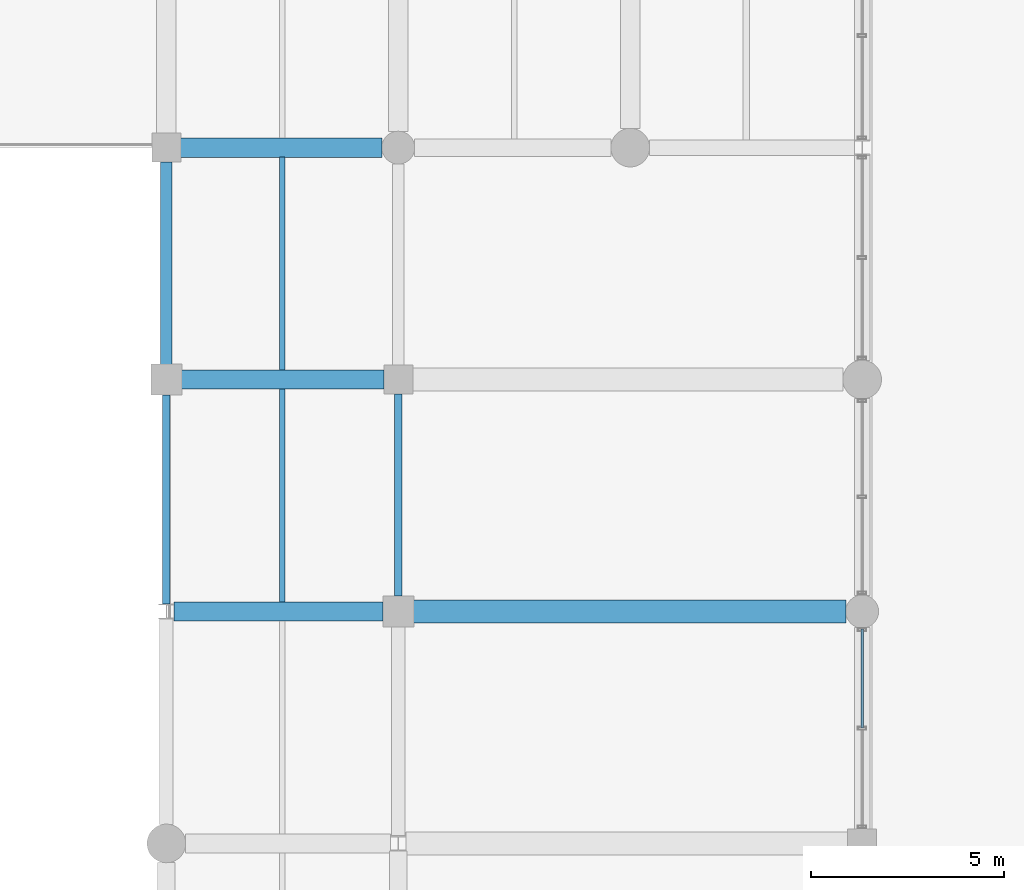
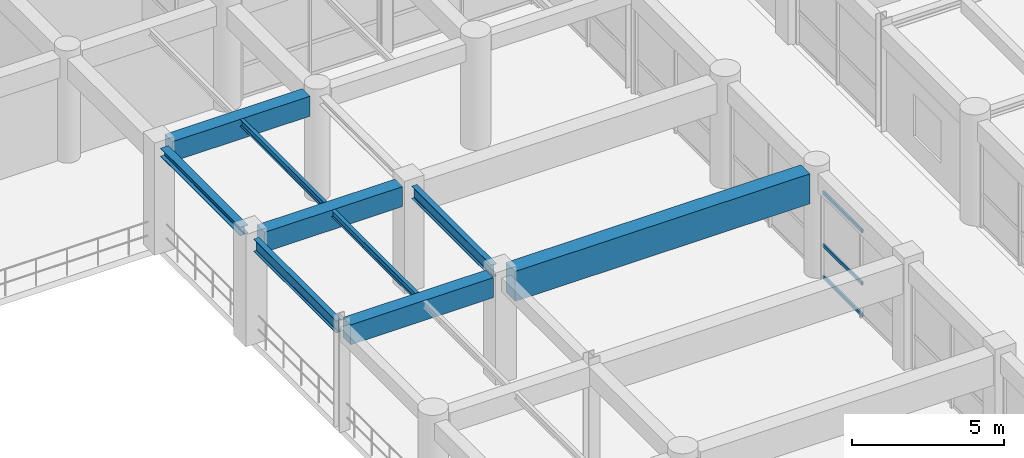
# One storey, part 68 of 133: 9 beams, 3 members, 1 element without a shape of its own.
"""IFC4 building model written with IfcOpenShell, lengths in metres."""

from ifc_helpers import new_model, si_unit, direction, frame, origin, origin_2d, place, context, subcontext, project, spatial, rectangle, hollow_rectangle, i_section, extrude, material, material_profile, profile_set, type_object, element, aggregate, save


model = new_model("IFC4")

# Units and contexts
model_context = context("Model", 3, precision=1e-05, world=origin(), true_north=direction((0.0, 1.0)))
body_context = subcontext(model_context, "Body", "Model", "MODEL_VIEW")
ifc_project = project(units=[si_unit("LENGTHUNIT", "METRE"), si_unit("AREAUNIT", "SQUARE_METRE"), si_unit("VOLUMEUNIT", "CUBIC_METRE"), si_unit("PLANEANGLEUNIT", "RADIAN"), si_unit("MASSUNIT", "GRAM", prefix="KILO"), si_unit("THERMODYNAMICTEMPERATUREUNIT", "KELVIN"), si_unit("POWERUNIT", "WATT")], contexts=[model_context])

# Site, building, storey
site_placement = place(None, origin())
site = spatial("IfcSite", under=ifc_project, at=site_placement, CompositionType="ELEMENT")
building_placement = place(site_placement, origin())
building = spatial("IfcBuilding", under=site, at=building_placement, Name="Phaisarnlok Congress Hotel", CompositionType="ELEMENT")
storey_placement = place(building_placement, frame((0.0, 0.0, 6.0)))
storey = spatial("IfcBuildingStorey", under=building, at=storey_placement, Name="L01", CompositionType="ELEMENT", Elevation=6.0)

# Beams
ifc_material_1 = material(Name="Concrete C40/50", Category="concrete")
ifc_material_profile_1 = material_profile(ifc_material_1, rectangle(XDim=0.5, YDim=0.800048828125, at=origin_2d()), Name="RC 500x800")
ifc_profile_set_1 = profile_set([ifc_material_profile_1], Name="Concrete C40/50")
beam_type_1 = type_object("IfcBeamType", Name="BM-RC-500x800", PredefinedType="BEAM", material=ifc_profile_set_1)
beam_1_placement = place(storey_placement, frame((138.195556640625, 66.0, 3.820068359375), z_axis=(1.0, 0.0, 0.0), x_axis=(0.0, 1.0, 0.0)))
element("IfcBeam", 1, at=beam_1_placement, inside=storey, type_object=beam_type_1, Name="Beam B-04", PredefinedType="BEAM", context=body_context, shape_type="SweptSolid", body=[
    extrude(rectangle(XDim=0.5, YDim=0.800048828125, at=origin_2d()), origin(), (0.0, 0.0, 1.0), 5.409423828125),
])
beam_2_placement = place(storey_placement, frame((138.39501953125, 72.0, 3.820068359375), z_axis=(1.0, 0.0, 0.0), x_axis=(0.0, 1.0, 0.0)))
element("IfcBeam", 2, at=beam_2_placement, inside=storey, type_object=beam_type_1, Name="Beam B-04", PredefinedType="BEAM", context=body_context, shape_type="SweptSolid", body=[
    extrude(rectangle(XDim=0.5, YDim=0.800048828125, at=origin_2d()), origin(), (0.0, 0.0, 1.0), 5.23486328125),
])
beam_3_placement = place(storey_placement, frame((138.3701171875, 78.0, 3.820068359375), z_axis=(1.0, 0.0, 0.0), x_axis=(0.0, 1.0, 0.0)))
element("IfcBeam", 3, at=beam_3_placement, inside=storey, type_object=beam_type_1, Name="Beam B-04", PredefinedType="BEAM", context=body_context, shape_type="SweptSolid", body=[
    extrude(rectangle(XDim=0.5, YDim=0.800048828125, at=origin_2d()), origin(), (0.0, 0.0, 1.0), 5.2099609375),
])
ifc_material_2 = material(Name="Concrete C50/60", Category="concrete")
ifc_material_profile_2 = material_profile(ifc_material_2, rectangle(XDim=0.60009765625, YDim=1.199951171875, at=origin_2d()), Name="RC 600x1200")
ifc_profile_set_2 = profile_set([ifc_material_profile_2], Name="Concrete C50/60")
beam_type_2 = type_object("IfcBeamType", Name="BM-RC-600x1200", PredefinedType="BEAM", material=ifc_profile_set_2)
beam_4_placement = place(storey_placement, frame((144.39501953125, 66.0, 3.6201171875), z_axis=(1.0, 0.0, 0.0), x_axis=(0.0, 1.0, 0.0)))
element("IfcBeam", 4, at=beam_4_placement, inside=storey, type_object=beam_type_2, Name="Ramp bay 12m girder B-06", PredefinedType="BEAM", context=body_context, shape_type="SweptSolid", body=[
    extrude(rectangle(XDim=0.60009765625, YDim=1.199951171875, at=origin_2d()), origin(), (0.0, 0.0, 1.0), 11.18505859375),
])
ifc_material_3 = material(Name="Steel S355", Category="steel")
ifc_material_profile_3 = material_profile(ifc_material_3, i_section(OverallWidth=0.300048828125, OverallDepth=0.340087890625, WebThickness=0.011962890625, FlangeThickness=0.021484375, FilletRadius=0.027099609375, at=origin_2d()), Name="HEB 340")
ifc_profile_set_3 = profile_set([ifc_material_profile_3], Name="Steel S355")
beam_type_3 = type_object("IfcBeamType", Name="BM-STL-HEB340", PredefinedType="BEAM", material=ifc_profile_set_3)
beam_5_placement = place(storey_placement, frame((138.0, 72.39501953125, 4.050048828125), z_axis=(0.0, 1.0, 0.0), x_axis=(-1.0, 0.0, 0.0)))
element("IfcBeam", 5, at=beam_5_placement, inside=storey, type_object=beam_type_3, Name="Beam SB-07", PredefinedType="BEAM", context=body_context, shape_type="SweptSolid", body=[
    extrude(i_section(OverallWidth=0.300048828125, OverallDepth=0.340087890625, WebThickness=0.011962890625, FlangeThickness=0.021484375, FilletRadius=0.027099609375, at=origin_2d()), origin(), (0.0, 0.0, 1.0), 5.23486328125),
])
ifc_material_profile_4 = material_profile(ifc_material_3, i_section(OverallWidth=0.199951171875, OverallDepth=0.5, WebThickness=0.01025390625, FlangeThickness=0.01611328125, FilletRadius=0.02099609375, at=origin_2d()), Name="IPE 500")
ifc_profile_set_4 = profile_set([ifc_material_profile_4], Name="Steel S355")
beam_type_4 = type_object("IfcBeamType", Name="BM-STL-IPE500", PredefinedType="BEAM", material=ifc_profile_set_4)
beam_6_placement = place(storey_placement, frame((138.0, 66.194580078125, 3.969970703125), z_axis=(0.0, 1.0, 0.0), x_axis=(-1.0, 0.0, 0.0)))
element("IfcBeam", 6, at=beam_6_placement, inside=storey, type_object=beam_type_4, Name="Beam SB-02", PredefinedType="BEAM", context=body_context, shape_type="SweptSolid", body=[
    extrude(i_section(OverallWidth=0.199951171875, OverallDepth=0.5, WebThickness=0.01025390625, FlangeThickness=0.01611328125, FilletRadius=0.02099609375, at=origin_2d()), origin(), (0.0, 0.0, 1.0), 5.410400390625),
])
beam_7_placement = place(storey_placement, frame((144.0, 66.39501953125, 3.969970703125), z_axis=(0.0, 1.0, 0.0), x_axis=(-1.0, 0.0, 0.0)))
element("IfcBeam", 7, at=beam_7_placement, inside=storey, type_object=beam_type_4, Name="Beam SB-02", PredefinedType="BEAM", context=body_context, shape_type="SweptSolid", body=[
    extrude(i_section(OverallWidth=0.199951171875, OverallDepth=0.5, WebThickness=0.01025390625, FlangeThickness=0.01611328125, FilletRadius=0.02099609375, at=origin_2d()), origin(), (0.0, 0.0, 1.0), 5.23486328125),
])

# Curtain wall, members
ifc_material_4 = material(Name="Thermally Broken Unitised Aluminium & Low-E Glazing", Category="aluminium")
curtain_wall_type = type_object("IfcCurtainWallType", Name="CW-UNIT-15", PredefinedType="NOTDEFINED", material=ifc_material_4)
curtain_wall_placement = place(storey_placement, origin())
curtain_wall = element("IfcCurtainWall", 8, at=curtain_wall_placement, inside=storey, type_object=curtain_wall_type, Name="Unitised curtain wall CW-15 (L01)", PredefinedType="NOTDEFINED")
ifc_material_5 = material(Name="Anodised Aluminium Alloy 6063-T6", Category="aluminium")
ifc_material_profile_5 = material_profile(ifc_material_5, hollow_rectangle(XDim=0.06494140625, YDim=0.139892578125, WallThickness=0.00390625, at=origin_2d()), Name="ALU-T 65x140x4")
ifc_profile_set_5 = profile_set([ifc_material_profile_5], Name="Anodised Aluminium Alloy 6063-T6")
member_type = type_object("IfcMemberType", Name="CWT-150", PredefinedType="USERDEFINED", material=ifc_profile_set_5)
member_1_placement = place(storey_placement, frame((156.0, 62.989990234375, 0.050048828125), z_axis=(0.0, 1.0, 0.0), x_axis=(-1.0, 0.0, 0.0)))
member_1 = element("IfcMember", 9, at=member_1_placement, type_object=member_type, Name="Curtain wall transom CWT-01", ObjectType="TRANSOM", PredefinedType="USERDEFINED", context=body_context, shape_type="SweptSolid", body=[
    extrude(hollow_rectangle(XDim=0.06494140625, YDim=0.139892578125, WallThickness=0.00390625, at=origin_2d()), origin(), (0.0, 0.0, 1.0), 2.56005859375),
])
member_2_placement = place(storey_placement, frame((156.0, 62.989990234375, 1.318603515625), z_axis=(0.0, 1.0, 0.0), x_axis=(-1.0, 0.0, 0.0)))
member_2 = element("IfcMember", 10, at=member_2_placement, type_object=member_type, Name="Curtain wall transom CWT-01", ObjectType="TRANSOM", PredefinedType="USERDEFINED", context=body_context, shape_type="SweptSolid", body=[
    extrude(hollow_rectangle(XDim=0.06494140625, YDim=0.139892578125, WallThickness=0.00390625, at=origin_2d()), origin(), (0.0, 0.0, 1.0), 2.56005859375),
])
member_3_placement = place(storey_placement, frame((156.0, 62.989990234375, 3.419921875), z_axis=(0.0, 1.0, 0.0), x_axis=(-1.0, 0.0, 0.0)))
member_3 = element("IfcMember", 11, at=member_3_placement, type_object=member_type, Name="Curtain wall transom CWT-01", ObjectType="TRANSOM", PredefinedType="USERDEFINED", context=body_context, shape_type="SweptSolid", body=[
    extrude(hollow_rectangle(XDim=0.06494140625, YDim=0.139892578125, WallThickness=0.00390625, at=origin_2d()), origin(), (0.0, 0.0, 1.0), 2.56005859375),
])
aggregate(curtain_wall, [member_1, member_2, member_3])

# Beams
ifc_material_profile_6 = material_profile(ifc_material_3, i_section(OverallWidth=0.135009765625, OverallDepth=0.27001953125, WebThickness=0.006591796875, FlangeThickness=0.01025390625, FilletRadius=0.014892578125, at=origin_2d()), Name="IPE 270")
ifc_profile_set_6 = profile_set([ifc_material_profile_6], Name="Steel S355")
beam_type_5 = type_object("IfcBeamType", Name="JS-STL-IPE270", PredefinedType="JOIST", material=ifc_profile_set_6)
for number, where, z_axis, x_axis, name in (
    (12, (141.0, 66.2451171875, 4.0849609375), (0.0, 1.0, 0.0), (-1.0, 0.0, 0.0), "Secondary floor joist J-02"),
    (13, (141.0, 72.2451171875, 4.0849609375), (0.0, 1.0, 0.0), (-1.0, 0.0, 0.0), "Secondary floor joist J-02"),
):
    element("IfcBeam", number, at=place(storey_placement, frame(where, z_axis=z_axis, x_axis=x_axis)), inside=storey, type_object=beam_type_5, Name=name, PredefinedType="JOIST", context=body_context, shape_type="SweptSolid", body=[
        extrude(i_section(OverallWidth=0.135009765625, OverallDepth=0.27001953125, WebThickness=0.006591796875, FlangeThickness=0.01025390625, FilletRadius=0.014892578125, at=origin_2d()), origin(), (0.0, 0.0, 1.0), 5.509765625),
    ])

save(model, "model.ifc")
